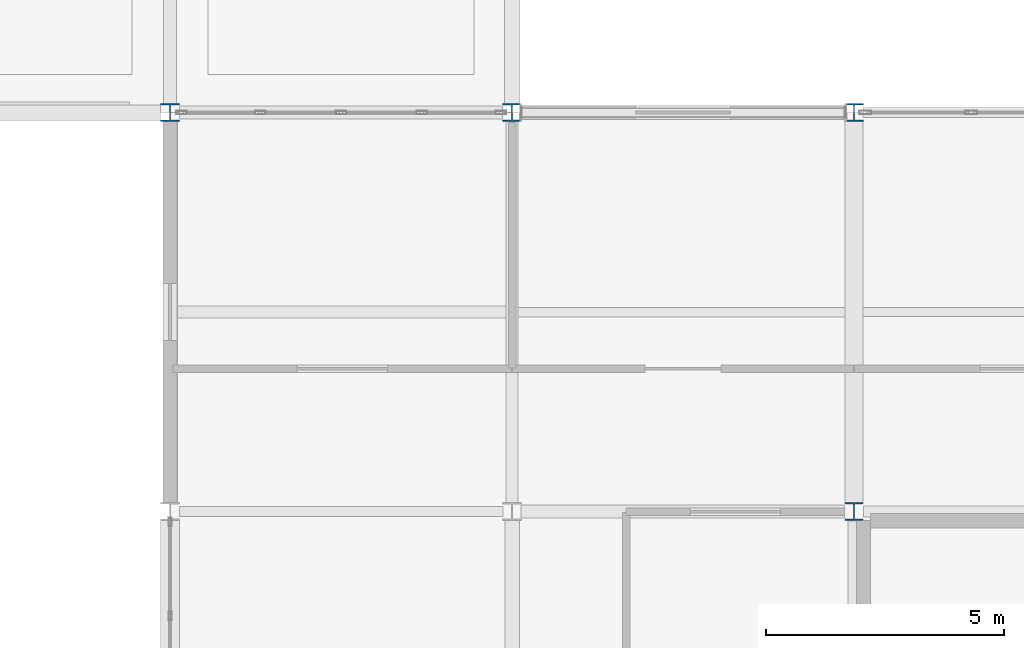
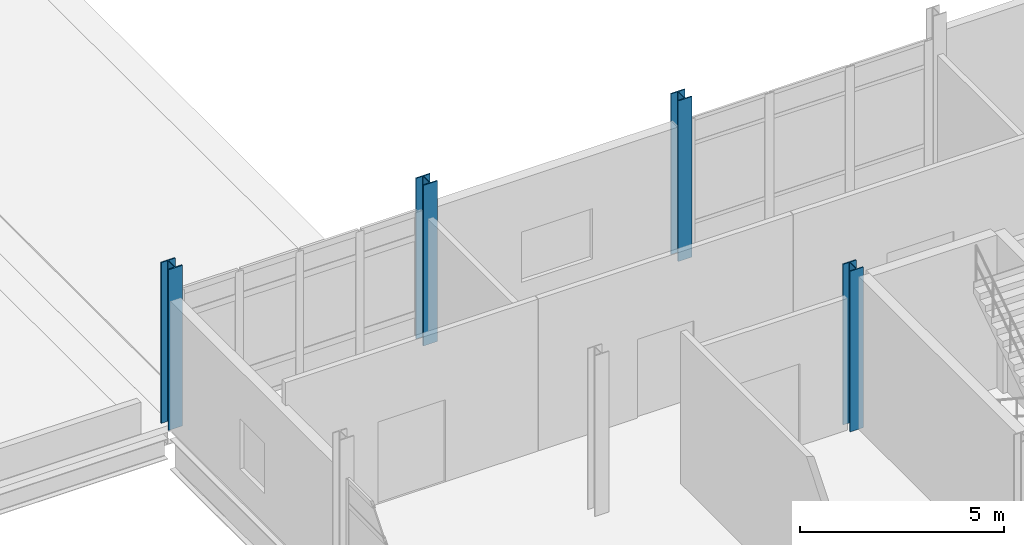
# One storey, part 8 of 153: 4 columns.
"""IFC4 building model written with IfcOpenShell, lengths in metres."""

from ifc_helpers import new_model, si_unit, direction, frame, origin, origin_2d, place, context, subcontext, project, spatial, i_section, extrude, material, material_profile, profile_set, type_object, element, save


model = new_model("IFC4")

# Units and contexts
model_context = context("Model", 3, precision=1e-05, world=origin(), true_north=direction((0.0, 1.0)))
body_context = subcontext(model_context, "Body", "Model", "MODEL_VIEW")
ifc_project = project(units=[si_unit("LENGTHUNIT", "METRE"), si_unit("AREAUNIT", "SQUARE_METRE"), si_unit("VOLUMEUNIT", "CUBIC_METRE"), si_unit("PLANEANGLEUNIT", "RADIAN"), si_unit("MASSUNIT", "GRAM", prefix="KILO")], contexts=[model_context])

# Site, building, storey
site_placement = place(None, origin())
site = spatial("IfcSite", under=ifc_project, at=site_placement, CompositionType="ELEMENT")
building_placement = place(site_placement, origin())
building = spatial("IfcBuilding", under=site, at=building_placement, Name="Calvrana Isthmian Art Gallery", CompositionType="ELEMENT")
storey_placement = place(building_placement, frame((0.0, 0.0, 10.199951171875)))
storey = spatial("IfcBuildingStorey", under=building, at=storey_placement, Name="L02", CompositionType="ELEMENT", Elevation=10.199951171875)

# Columns
ifc_material = material(Name="Steel ASTM A992 Gr 50", Category="steel")
ifc_material_profile_1 = material_profile(ifc_material, i_section(OverallWidth=0.373046875, OverallDepth=0.373046875, WebThickness=0.016357421875, FlangeThickness=0.026123046875, FilletRadius=0.02490234375, at=origin_2d()), Name="W14X132")
ifc_profile_set_1 = profile_set([ifc_material_profile_1], Name="Steel ASTM A992 Gr 50")
column_type_1 = type_object("IfcColumnType", Name="COL-STL-W14X132", PredefinedType="COLUMN", material=ifc_profile_set_1)
column_1_placement = place(storey_placement, frame((127.199951171875, 38.39990234375, 0.0), z_axis=(0.0, 0.0, 1.0), x_axis=(1.0, 0.0, 0.0)))
element("IfcColumn", 1, at=column_1_placement, inside=storey, type_object=column_type_1, Name="Column 17/F L02", PredefinedType="COLUMN", context=body_context, shape_type="SweptSolid", body=[
    extrude(i_section(OverallWidth=0.373046875, OverallDepth=0.373046875, WebThickness=0.016357421875, FlangeThickness=0.026123046875, FilletRadius=0.02490234375, at=origin_2d()), origin(), (0.0, 0.0, 1.0), 4.800048828125),
])
ifc_material_profile_2 = material_profile(ifc_material, i_section(OverallWidth=0.39404296875, OverallDepth=0.3759765625, WebThickness=0.017333984375, FlangeThickness=0.027587890625, FilletRadius=0.02490234375, at=origin_2d()), Name="W14X145")
ifc_profile_set_2 = profile_set([ifc_material_profile_2], Name="Steel ASTM A992 Gr 50")
column_type_2 = type_object("IfcColumnType", Name="COL-STL-W14X145", PredefinedType="COLUMN", material=ifc_profile_set_2)
column_2_placement = place(storey_placement, frame((127.199951171875, 46.800048828125, 0.0), z_axis=(0.0, 0.0, 1.0), x_axis=(1.0, 0.0, 0.0)))
element("IfcColumn", 2, at=column_2_placement, inside=storey, type_object=column_type_2, Name="Column 17/G L02", PredefinedType="COLUMN", context=body_context, shape_type="SweptSolid", body=[
    extrude(i_section(OverallWidth=0.39404296875, OverallDepth=0.3759765625, WebThickness=0.017333984375, FlangeThickness=0.027587890625, FilletRadius=0.02490234375, at=origin_2d()), origin(), (0.0, 0.0, 1.0), 4.800048828125),
])
ifc_material_profile_3 = material_profile(ifc_material, i_section(OverallWidth=0.39599609375, OverallDepth=0.381103515625, WebThickness=0.018798828125, FlangeThickness=0.0302734375, FilletRadius=0.02490234375, at=origin_2d()), Name="W14X159")
ifc_profile_set_3 = profile_set([ifc_material_profile_3], Name="Steel ASTM A992 Gr 50")
column_type_3 = type_object("IfcColumnType", Name="COL-STL-W14X159", PredefinedType="COLUMN", material=ifc_profile_set_3)
column_3_placement = place(storey_placement, frame((120.0, 46.800048828125, 0.0), z_axis=(0.0, 0.0, 1.0), x_axis=(1.0, 0.0, 0.0)))
element("IfcColumn", 3, at=column_3_placement, inside=storey, type_object=column_type_3, Name="Column 16/G L02", PredefinedType="COLUMN", context=body_context, shape_type="SweptSolid", body=[
    extrude(i_section(OverallWidth=0.39599609375, OverallDepth=0.381103515625, WebThickness=0.018798828125, FlangeThickness=0.0302734375, FilletRadius=0.02490234375, at=origin_2d()), origin(), (0.0, 0.0, 1.0), 4.800048828125),
])
ifc_material_profile_4 = material_profile(ifc_material, i_section(OverallWidth=0.39892578125, OverallDepth=0.385986328125, WebThickness=0.02099609375, FlangeThickness=0.033203125, FilletRadius=0.02490234375, at=origin_2d()), Name="W14X176")
ifc_profile_set_4 = profile_set([ifc_material_profile_4], Name="Steel ASTM A992 Gr 50")
column_type_4 = type_object("IfcColumnType", Name="COL-STL-W14X176", PredefinedType="COLUMN", material=ifc_profile_set_4)
column_4_placement = place(storey_placement, frame((112.800048828125, 46.800048828125, 0.0), z_axis=(0.0, 0.0, 1.0), x_axis=(1.0, 0.0, 0.0)))
element("IfcColumn", 4, at=column_4_placement, inside=storey, type_object=column_type_4, Name="Column 15/G L02", PredefinedType="COLUMN", context=body_context, shape_type="SweptSolid", body=[
    extrude(i_section(OverallWidth=0.39892578125, OverallDepth=0.385986328125, WebThickness=0.02099609375, FlangeThickness=0.033203125, FilletRadius=0.02490234375, at=origin_2d()), origin(), (0.0, 0.0, 1.0), 4.800048828125),
])

save(model, "model.ifc")
